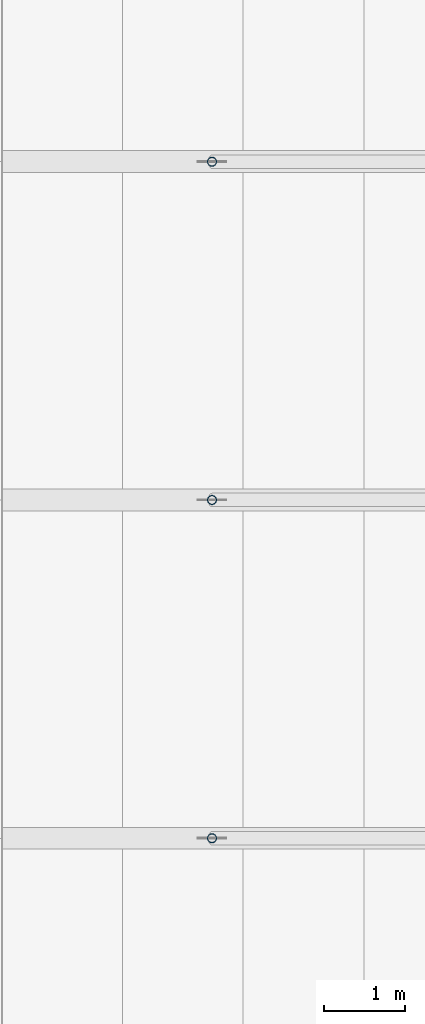
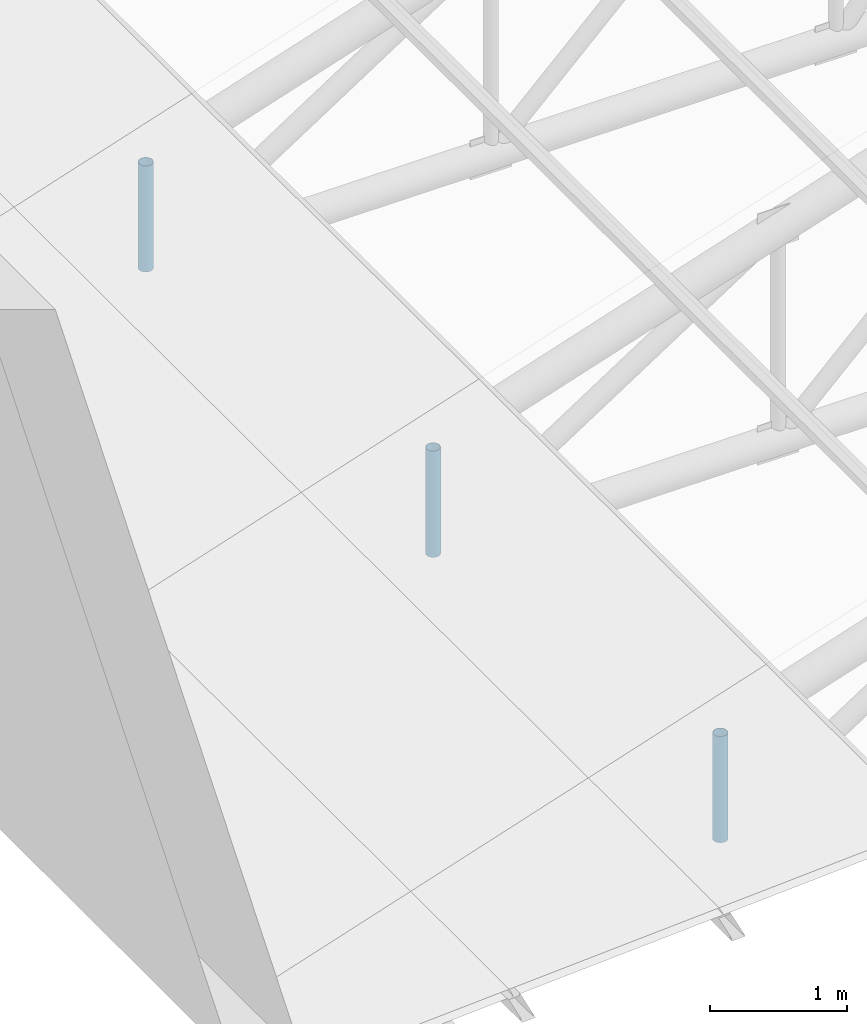
# One storey, part 64 of 95: 3 members.
"""IFC4 building model written with IfcOpenShell, lengths in metres."""

from ifc_helpers import new_model, si_unit, direction, frame, origin, origin_2d, place, context, subcontext, project, spatial, hollow_circle, extrude, material, material_profile, profile_set, type_object, element, save


model = new_model("IFC4")

# Units and contexts
model_context = context("Model", 3, precision=1e-05, world=origin(), true_north=direction((0.0, 1.0)))
body_context = subcontext(model_context, "Body", "Model", "MODEL_VIEW")
ifc_project = project(units=[si_unit("LENGTHUNIT", "METRE"), si_unit("AREAUNIT", "SQUARE_METRE"), si_unit("VOLUMEUNIT", "CUBIC_METRE"), si_unit("PLANEANGLEUNIT", "RADIAN"), si_unit("MASSUNIT", "GRAM", prefix="KILO")], contexts=[model_context])

# Site, building, storey
site_placement = place(None, origin())
site = spatial("IfcSite", under=ifc_project, at=site_placement, CompositionType="ELEMENT")
building_placement = place(site_placement, origin())
building = spatial("IfcBuilding", under=site, at=building_placement, Name="Kiln Court Media Centre", CompositionType="ELEMENT")
storey_placement = place(building_placement, frame((0.0, 0.0, 24.60009765625)))
storey = spatial("IfcBuildingStorey", under=building, at=storey_placement, Name="L05", CompositionType="ELEMENT", Elevation=24.60009765625)

# Members
ifc_material = material(Name="Steel ASTM A500 Gr C", Category="steel")
ifc_material_profile = material_profile(ifc_material, hollow_circle(Radius=0.05712890625, WallThickness=0.0048828125, at=origin_2d()), Name="CHS 114.3x5.0")
ifc_profile_set = profile_set([ifc_material_profile], Name="Steel ASTM A500 Gr C")
member_type = type_object("IfcMemberType", Name="Steel ASTM A500 Gr C CHS 114.3x5.0 truss web", PredefinedType="BRACE", material=ifc_profile_set)
for number, where, z_axis, x_axis, name in (
    (1, (37.66259765625, 50.39990234375, -0.013916015625), (0.0, 0.0, 1.0), (1.0, 0.0, 0.0), "foyer truss FT-07 post 1 truss web"),
    (2, (37.66259765625, 54.60009765625, -0.013916015625), (0.0, 0.0, 1.0), (1.0, 0.0, 0.0), "foyer truss FT-08 post 1 truss web"),
    (3, (37.66259765625, 58.800048828125, -0.013916015625), (0.0, 0.0, 1.0), (1.0, 0.0, 0.0), "foyer truss FT-09 post 1 truss web"),
):
    element("IfcMember", number, at=place(storey_placement, frame(where, z_axis=z_axis, x_axis=x_axis)), inside=storey, type_object=member_type, Name=name, PredefinedType="BRACE", context=body_context, shape_type="SweptSolid", body=[
        extrude(hollow_circle(Radius=0.05712890625, WallThickness=0.0048828125, at=origin_2d()), origin(), (0.0, 0.0, 1.0), 0.946533203125),
    ])

save(model, "model.ifc")
